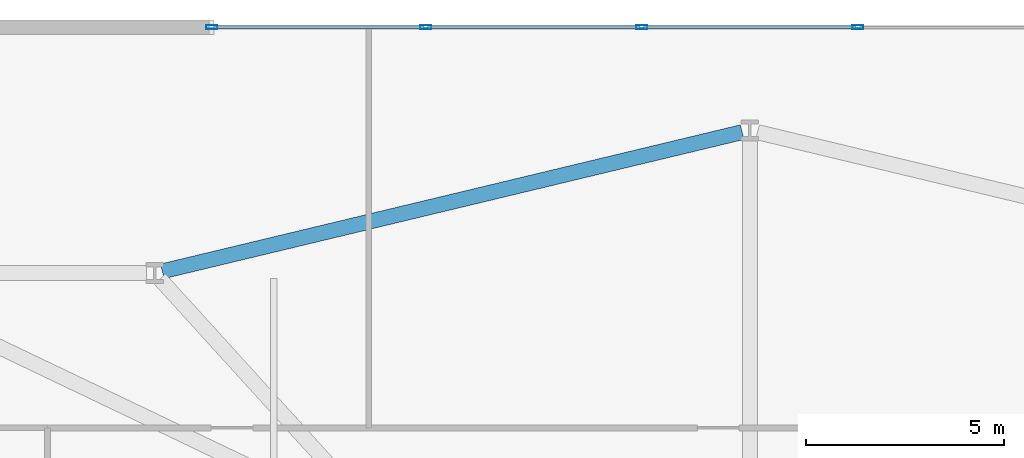
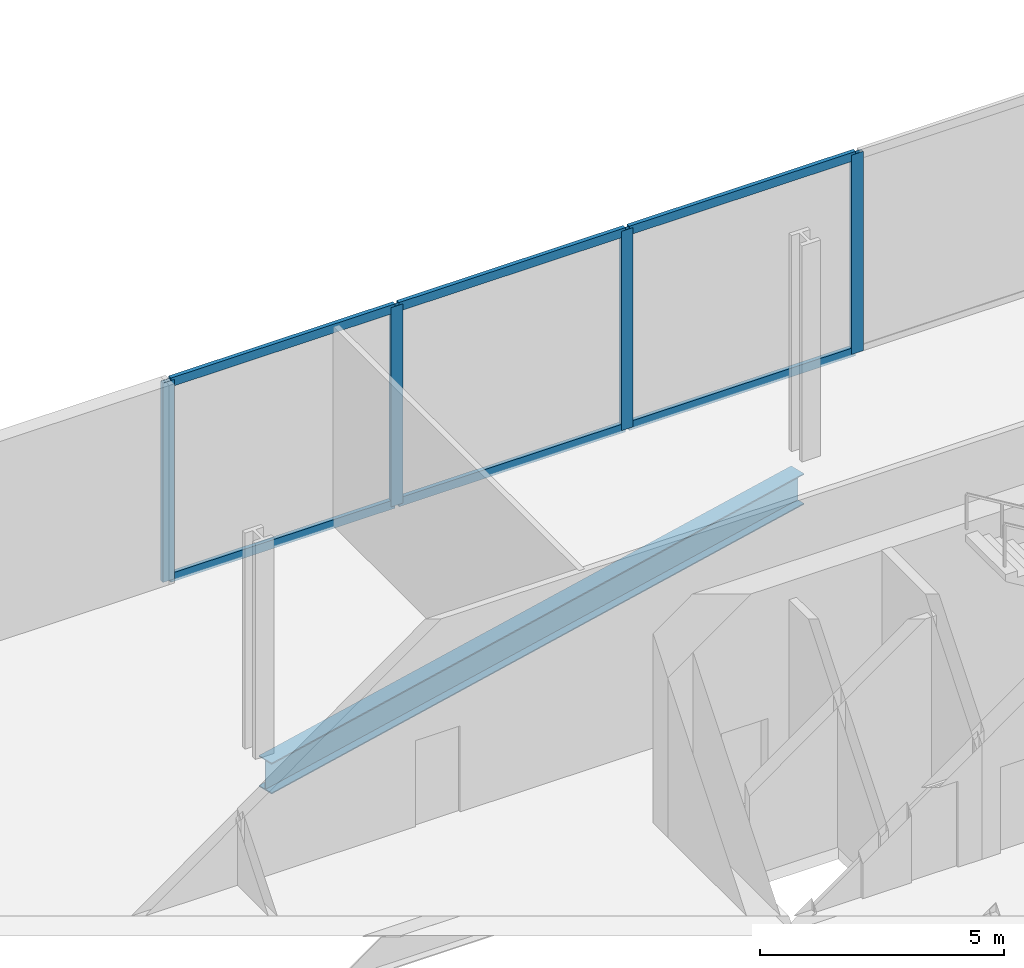
# One storey, part 7 of 16: 10 members, 1 beam, 1 element without a shape of its own.
"""IFC4 building model written with IfcOpenShell, lengths in metres."""

from ifc_helpers import new_model, si_unit, direction, frame, origin, origin_2d, place, context, subcontext, project, spatial, hollow_rectangle, i_section, extrude, material, material_profile, profile_set, type_object, element, aggregate, save


model = new_model("IFC4")

# Units and contexts
model_context = context("Model", 3, precision=1e-05, world=origin(), true_north=direction((0.0, 1.0)))
body_context = subcontext(model_context, "Body", "Model", "MODEL_VIEW")
ifc_project = project(units=[si_unit("LENGTHUNIT", "METRE"), si_unit("AREAUNIT", "SQUARE_METRE"), si_unit("VOLUMEUNIT", "CUBIC_METRE"), si_unit("PLANEANGLEUNIT", "RADIAN"), si_unit("MASSUNIT", "GRAM", prefix="KILO")], contexts=[model_context])

# Site, building, storey
site_placement = place(None, origin())
site = spatial("IfcSite", under=ifc_project, at=site_placement, CompositionType="ELEMENT")
building_placement = place(site_placement, origin())
building = spatial("IfcBuilding", under=site, at=building_placement, Name="Haldenkirk Collegiate Tower", CompositionType="ELEMENT")
storey_placement = place(building_placement, frame((0.0, 0.0, 16.800048828125)))
storey = spatial("IfcBuildingStorey", under=building, at=storey_placement, Name="L03", CompositionType="ELEMENT", Elevation=16.800048828125)

# Beam
ifc_material_1 = material(Name="Steel ASTM A992 Grade 50", Category="steel")
ifc_material_profile_1 = material_profile(ifc_material_1, i_section(OverallWidth=0.381103515625, OverallDepth=0.77294921875, WebThickness=0.0166015625, FlangeThickness=0.027099609375, at=origin_2d()), Name="W30X173")
ifc_profile_set_1 = profile_set([ifc_material_profile_1], Name="Steel ASTM A992 Grade 50")
beam_type = type_object("IfcBeamType", Name="BM-GIRDER-W30X173", PredefinedType="BEAM", material=ifc_profile_set_1)
beam_placement = place(storey_placement, frame((35.805419921875, 44.1533203125, -0.716552734375), z_axis=(-0.972387449467, -0.233372337946, 0.0), x_axis=(0.233372337946, -0.972387449467, 0.0)))
element("IfcBeam", 1, at=beam_placement, inside=storey, type_object=beam_type, Name="L03 podium ring girder 10", PredefinedType="BEAM", context=body_context, shape_type="SweptSolid", body=[
    extrude(i_section(OverallWidth=0.381103515625, OverallDepth=0.77294921875, WebThickness=0.0166015625, FlangeThickness=0.027099609375, at=origin_2d()), origin(), (0.0, 0.0, 1.0), 15.025634765625),
])

# Curtain wall, members
ifc_material_2 = material(Name="Anodised architectural bronze aluminium", Category="aluminium")
curtain_wall_type = type_object("IfcCurtainWallType", Name="CW-SYS3-PODIUM", PredefinedType="USERDEFINED", material=ifc_material_2)
curtain_wall_placement = place(storey_placement, origin())
curtain_wall = element("IfcCurtainWall", 2, at=curtain_wall_placement, inside=storey, type_object=curtain_wall_type, Name="L03 Podium campus concourse and library storefront curtain wall", ObjectType="UNITISED CURTAIN WALL", PredefinedType="USERDEFINED")
ifc_material_profile_2 = material_profile(ifc_material_2, hollow_rectangle(XDim=0.094970703125, YDim=0.280029296875, WallThickness=0.0048828125, at=origin_2d()), Name="CW-MUL-03")
ifc_profile_set_2 = profile_set([ifc_material_profile_2], Name="Anodised architectural bronze aluminium")
member_type_1 = type_object("IfcMemberType", Name="CW-MUL-03", PredefinedType="MULLION", material=ifc_profile_set_2)
member_1_placement = place(storey_placement, frame((22.439453125, 46.800048828125, 0.0), z_axis=(0.0, 0.0, 1.0), x_axis=(0.0, 1.0, 0.0)))
member_1 = element("IfcMember", 3, at=member_1_placement, type_object=member_type_1, Name="CW-03 mullion 1", PredefinedType="MULLION", context=body_context, shape_type="SweptSolid", body=[
    extrude(hollow_rectangle(XDim=0.094970703125, YDim=0.280029296875, WallThickness=0.0048828125, at=origin_2d()), origin(), (0.0, 0.0, 1.0), 4.97998046875),
])
member_2_placement = place(storey_placement, frame((27.835205078125, 46.800048828125, 0.0), z_axis=(0.0, 0.0, 1.0), x_axis=(0.0, 1.0, 0.0)))
member_2 = element("IfcMember", 4, at=member_2_placement, type_object=member_type_1, Name="CW-03 mullion 2", PredefinedType="MULLION", context=body_context, shape_type="SweptSolid", body=[
    extrude(hollow_rectangle(XDim=0.094970703125, YDim=0.280029296875, WallThickness=0.0048828125, at=origin_2d()), origin(), (0.0, 0.0, 1.0), 4.97998046875),
])
member_3_placement = place(storey_placement, frame((33.2783203125, 46.800048828125, 0.0), z_axis=(0.0, 0.0, 1.0), x_axis=(0.0, 1.0, 0.0)))
member_3 = element("IfcMember", 5, at=member_3_placement, type_object=member_type_1, Name="CW-03 mullion 3", PredefinedType="MULLION", context=body_context, shape_type="SweptSolid", body=[
    extrude(hollow_rectangle(XDim=0.094970703125, YDim=0.280029296875, WallThickness=0.0048828125, at=origin_2d()), origin(), (0.0, 0.0, 1.0), 4.97998046875),
])
member_4_placement = place(storey_placement, frame((38.7216796875, 46.800048828125, 0.0), z_axis=(0.0, 0.0, 1.0), x_axis=(0.0, 1.0, 0.0)))
member_4 = element("IfcMember", 6, at=member_4_placement, type_object=member_type_1, Name="CW-03 mullion 4", PredefinedType="MULLION", context=body_context, shape_type="SweptSolid", body=[
    extrude(hollow_rectangle(XDim=0.094970703125, YDim=0.280029296875, WallThickness=0.0048828125, at=origin_2d()), origin(), (0.0, 0.0, 1.0), 4.97998046875),
])
ifc_material_profile_3 = material_profile(ifc_material_2, hollow_rectangle(XDim=0.094970703125, YDim=0.219970703125, WallThickness=0.0048828125, at=origin_2d()), Name="CW-TRN-03")
ifc_profile_set_3 = profile_set([ifc_material_profile_3], Name="Anodised architectural bronze aluminium")
member_type_2 = type_object("IfcMemberType", Name="CW-TRN-03", PredefinedType="USERDEFINED", material=ifc_profile_set_3)
member_5_placement = place(storey_placement, frame((22.487060546875, 46.800048828125, 0.04736328125), z_axis=(1.0, 0.0, 0.0), x_axis=(0.0, 1.0, 0.0)))
member_5 = element("IfcMember", 7, at=member_5_placement, type_object=member_type_2, Name="CW-03 transom 1.1", ObjectType="TRANSOM", PredefinedType="USERDEFINED", context=body_context, shape_type="SweptSolid", body=[
    extrude(hollow_rectangle(XDim=0.094970703125, YDim=0.219970703125, WallThickness=0.0048828125, at=origin_2d()), origin(), (0.0, 0.0, 1.0), 5.300537109375),
])
member_6_placement = place(storey_placement, frame((22.487060546875, 46.800048828125, 4.932373046875), z_axis=(1.0, 0.0, 0.0), x_axis=(0.0, 1.0, 0.0)))
member_6 = element("IfcMember", 8, at=member_6_placement, type_object=member_type_2, Name="CW-03 transom 1.2", ObjectType="TRANSOM", PredefinedType="USERDEFINED", context=body_context, shape_type="SweptSolid", body=[
    extrude(hollow_rectangle(XDim=0.094970703125, YDim=0.219970703125, WallThickness=0.0048828125, at=origin_2d()), origin(), (0.0, 0.0, 1.0), 5.300537109375),
])
member_7_placement = place(storey_placement, frame((27.8828125, 46.800048828125, 0.04736328125), z_axis=(1.0, 0.0, 0.0), x_axis=(0.0, 1.0, 0.0)))
member_7 = element("IfcMember", 9, at=member_7_placement, type_object=member_type_2, Name="CW-03 transom 2.1", ObjectType="TRANSOM", PredefinedType="USERDEFINED", context=body_context, shape_type="SweptSolid", body=[
    extrude(hollow_rectangle(XDim=0.094970703125, YDim=0.219970703125, WallThickness=0.0048828125, at=origin_2d()), origin(), (0.0, 0.0, 1.0), 5.34814453125),
])
member_8_placement = place(storey_placement, frame((27.8828125, 46.800048828125, 4.932373046875), z_axis=(1.0, 0.0, 0.0), x_axis=(0.0, 1.0, 0.0)))
member_8 = element("IfcMember", 10, at=member_8_placement, type_object=member_type_2, Name="CW-03 transom 2.2", ObjectType="TRANSOM", PredefinedType="USERDEFINED", context=body_context, shape_type="SweptSolid", body=[
    extrude(hollow_rectangle(XDim=0.094970703125, YDim=0.219970703125, WallThickness=0.0048828125, at=origin_2d()), origin(), (0.0, 0.0, 1.0), 5.34814453125),
])
member_9_placement = place(storey_placement, frame((33.325927734375, 46.800048828125, 0.04736328125), z_axis=(1.0, 0.0, 0.0), x_axis=(0.0, 1.0, 0.0)))
member_9 = element("IfcMember", 11, at=member_9_placement, type_object=member_type_2, Name="CW-03 transom 3.1", ObjectType="TRANSOM", PredefinedType="USERDEFINED", context=body_context, shape_type="SweptSolid", body=[
    extrude(hollow_rectangle(XDim=0.094970703125, YDim=0.219970703125, WallThickness=0.0048828125, at=origin_2d()), origin(), (0.0, 0.0, 1.0), 5.34814453125),
])
member_10_placement = place(storey_placement, frame((33.325927734375, 46.800048828125, 4.932373046875), z_axis=(1.0, 0.0, 0.0), x_axis=(0.0, 1.0, 0.0)))
member_10 = element("IfcMember", 12, at=member_10_placement, type_object=member_type_2, Name="CW-03 transom 3.2", ObjectType="TRANSOM", PredefinedType="USERDEFINED", context=body_context, shape_type="SweptSolid", body=[
    extrude(hollow_rectangle(XDim=0.094970703125, YDim=0.219970703125, WallThickness=0.0048828125, at=origin_2d()), origin(), (0.0, 0.0, 1.0), 5.34814453125),
])
aggregate(curtain_wall, [member_1, member_2, member_3, member_4, member_5, member_6, member_7, member_8, member_9, member_10])

save(model, "model.ifc")
